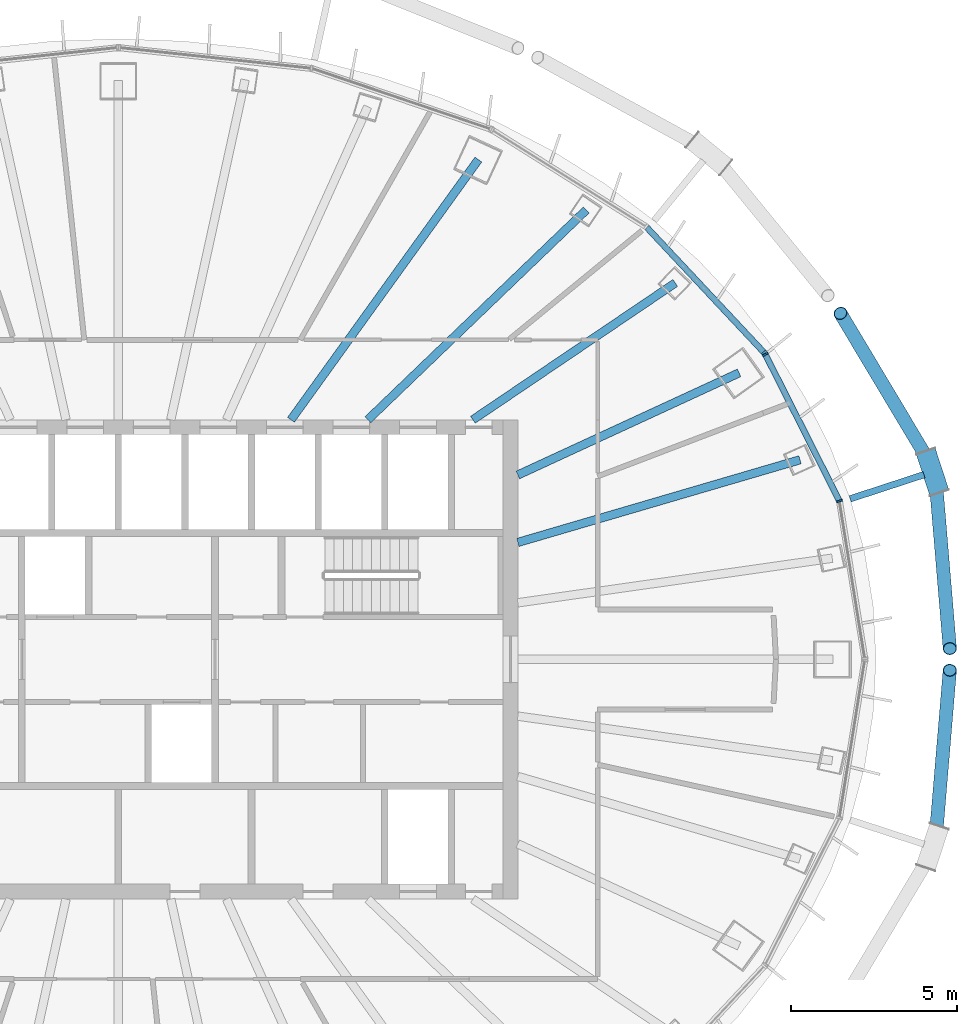
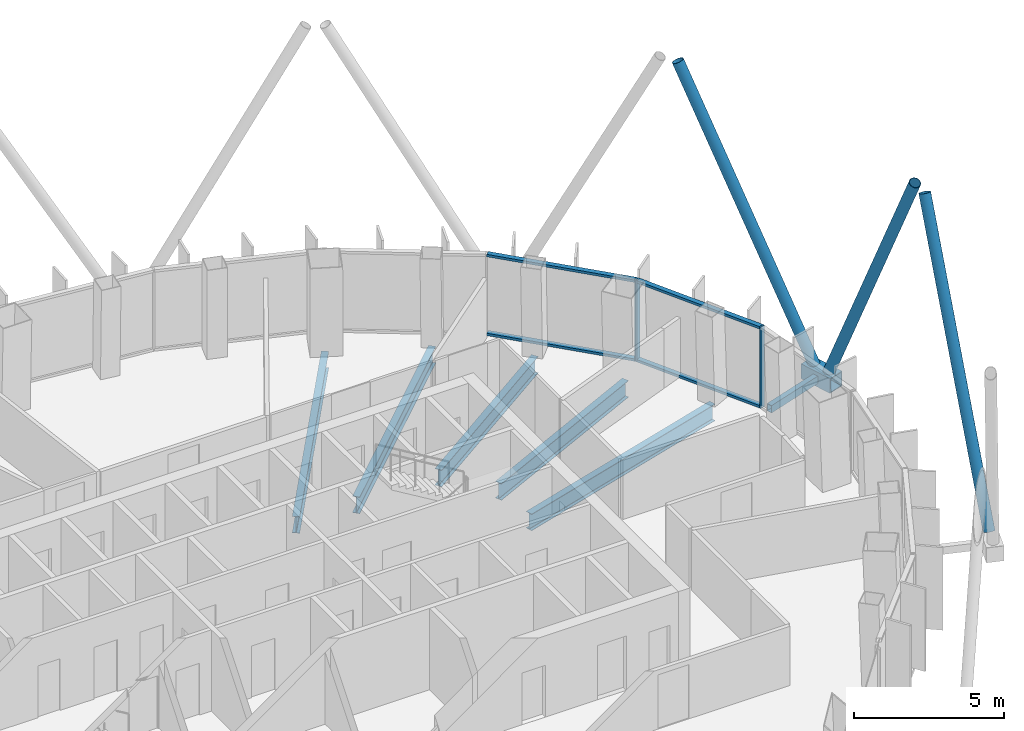
# One storey, part 5 of 18: 12 members, 5 beams, 2 elements without a shape of their own.
"""IFC4 building model written with IfcOpenShell, lengths in metres."""

from ifc_helpers import new_model, si_unit, direction, frame, origin, origin_2d, place, context, subcontext, project, spatial, rectangle, hollow_rectangle, hollow_circle, i_section, extrude, material, layer, layer_set, material_profile, profile_set, type_object, element, aggregate, save


model = new_model("IFC4")

# Units and contexts
model_context = context("Model", 3, precision=1e-05, world=origin(), true_north=direction((0.0, 1.0)))
body_context = subcontext(model_context, "Body", "Model", "MODEL_VIEW")
ifc_project = project(units=[si_unit("LENGTHUNIT", "METRE"), si_unit("AREAUNIT", "SQUARE_METRE"), si_unit("VOLUMEUNIT", "CUBIC_METRE"), si_unit("PLANEANGLEUNIT", "RADIAN"), si_unit("MASSUNIT", "GRAM", prefix="KILO")], contexts=[model_context])

# Site, building, storey
site_placement = place(None, origin())
site = spatial("IfcSite", under=ifc_project, at=site_placement, CompositionType="ELEMENT")
building_placement = place(site_placement, origin())
building = spatial("IfcBuilding", under=site, at=building_placement, Name="Siaravel Broadcast Tower", CompositionType="ELEMENT")
storey_placement = place(building_placement, frame((0.0, 0.0, 201.5)))
storey = spatial("IfcBuildingStorey", under=building, at=storey_placement, Name="L49", CompositionType="ELEMENT", Elevation=201.5)

# Beams
ifc_material_1 = material(Name="Steel S355", Category="steel")
ifc_material_profile_1 = material_profile(ifc_material_1, i_section(OverallWidth=0.2529296875, OverallDepth=0.677978515625, WebThickness=0.01171875, FlangeThickness=0.01611328125, FilletRadius=0.01513671875, at=origin_2d()))
ifc_profile_set_1 = profile_set([ifc_material_profile_1], Name="Steel S355")
beam_type = type_object("IfcBeamType", Name="BM-UB 686x254x125", PredefinedType="BEAM", material=ifc_profile_set_1)
beam_1_placement = place(storey_placement, frame((20.47607421875, 5.997802734375, -0.489013671875), z_axis=(-0.95967304, -0.281118579, 0.0), x_axis=(0.281118579, -0.95967304, 0.0)))
element("IfcBeam", 1, at=beam_1_placement, inside=storey, type_object=beam_type, Name="Radial beam RB03", PredefinedType="BEAM", context=body_context, shape_type="SweptSolid", body=[
    extrude(i_section(OverallWidth=0.2529296875, OverallDepth=0.677978515625, WebThickness=0.01171875, FlangeThickness=0.01611328125, FilletRadius=0.01513671875, at=origin_2d()), origin(), (0.0, 0.0, 1.0), 8.832275390625),
])
beam_2_placement = place(storey_placement, frame((18.6455078125, 8.609130859375, -0.489013671875), z_axis=(-0.907896897, -0.419193541, 0.0), x_axis=(0.419193541, -0.907896897, 0.0)))
element("IfcBeam", 2, at=beam_2_placement, inside=storey, type_object=beam_type, Name="Radial beam RB04", PredefinedType="BEAM", context=body_context, shape_type="SweptSolid", body=[
    extrude(i_section(OverallWidth=0.2529296875, OverallDepth=0.677978515625, WebThickness=0.01171875, FlangeThickness=0.01611328125, FilletRadius=0.01513671875, at=origin_2d()), origin(), (0.0, 0.0, 1.0), 7.319580078125),
])
beam_3_placement = place(storey_placement, frame((16.7294921875, 11.31005859375, -0.489013671875), z_axis=(-0.82844504, -0.560070366, 0.0), x_axis=(0.560070366, -0.82844504, 0.0)))
element("IfcBeam", 3, at=beam_3_placement, inside=storey, type_object=beam_type, Name="Radial beam RB05", PredefinedType="BEAM", context=body_context, shape_type="SweptSolid", body=[
    extrude(i_section(OverallWidth=0.2529296875, OverallDepth=0.677978515625, WebThickness=0.01171875, FlangeThickness=0.01611328125, FilletRadius=0.01513671875, at=origin_2d()), origin(), (0.0, 0.0, 1.0), 7.338623046875),
])
beam_4_placement = place(storey_placement, frame((14.053466796875, 13.501708984375, -0.489013671875), z_axis=(-0.721123378, -0.692806664, 0.0), x_axis=(0.692806664, -0.721123378, 0.0)))
element("IfcBeam", 4, at=beam_4_placement, inside=storey, type_object=beam_type, Name="Radial beam RB06", PredefinedType="BEAM", context=body_context, shape_type="SweptSolid", body=[
    extrude(i_section(OverallWidth=0.2529296875, OverallDepth=0.677978515625, WebThickness=0.01171875, FlangeThickness=0.01611328125, FilletRadius=0.01513671875, at=origin_2d()), origin(), (0.0, 0.0, 1.0), 9.095947265625),
])
beam_5_placement = place(storey_placement, frame((10.813720703125, 15.014892578125, -0.489013671875), z_axis=(-0.584401555, -0.811464616, 0.0), x_axis=(0.811464616, -0.584401555, 0.0)))
element("IfcBeam", 5, at=beam_5_placement, inside=storey, type_object=beam_type, Name="Radial beam RB07", PredefinedType="BEAM", context=body_context, shape_type="SweptSolid", body=[
    extrude(i_section(OverallWidth=0.2529296875, OverallDepth=0.677978515625, WebThickness=0.01171875, FlangeThickness=0.01611328125, FilletRadius=0.01513671875, at=origin_2d()), origin(), (0.0, 0.0, 1.0), 9.630615234375),
])

# Curtain wall, members
ifc_material_2 = material(Name="Aluminium 6063-T6", Category="aluminium")
ifc_layer = layer(ifc_material_2, 0.179931640625)
ifc_layer_set = layer_set([ifc_layer], Name="Aluminium 6063-T6")
curtain_wall_type = type_object("IfcCurtainWallType", Name="Unitised curtain wall, zone 3", PredefinedType="NOTDEFINED", material=ifc_layer_set)
curtain_wall_1_placement = place(storey_placement, origin())
curtain_wall_1 = element("IfcCurtainWall", 6, at=curtain_wall_1_placement, inside=storey, type_object=curtain_wall_type, Name="L49 Unitised curtain wall, zone 3 01", PredefinedType="NOTDEFINED")
ifc_material_profile_2 = material_profile(ifc_material_2, rectangle(XDim=0.179931640625, YDim=0.06005859375, at=origin_2d()))
ifc_profile_set_2 = profile_set([ifc_material_profile_2], Name="Aluminium 6063-T6")
member_type_1 = type_object("IfcMemberType", Name="CW-Z3 mullion", PredefinedType="MULLION", material=ifc_profile_set_2)
member_1_placement = place(storey_placement, frame((21.6611328125, 4.75927734375, 0.0), z_axis=(0.0, 0.0, 1.0), x_axis=(-0.951177741, -0.308643655, 0.0)))
member_1 = element("IfcMember", 7, at=member_1_placement, type_object=member_type_1, Name="CW-Z3 mullion 2", PredefinedType="MULLION", context=body_context, shape_type="SweptSolid", body=[
    extrude(rectangle(XDim=0.179931640625, YDim=0.06005859375, at=origin_2d()), origin(), (0.0, 0.0, 1.0), 3.300048828125),
])
member_2_placement = place(storey_placement, frame((19.4326171875, 9.166259765625, 0.0), z_axis=(0.0, 0.0, 1.0), x_axis=(-0.892393176, -0.451258705, 0.0)))
member_2 = element("IfcMember", 8, at=member_2_placement, type_object=member_type_1, Name="CW-Z3 mullion 3", PredefinedType="MULLION", context=body_context, shape_type="SweptSolid", body=[
    extrude(rectangle(XDim=0.179931640625, YDim=0.06005859375, at=origin_2d()), origin(), (0.0, 0.0, 1.0), 3.300048828125),
])

# Curtain wall, member
curtain_wall_2_placement = place(storey_placement, origin())
curtain_wall_2 = element("IfcCurtainWall", 9, at=curtain_wall_2_placement, inside=storey, type_object=curtain_wall_type, Name="L49 Unitised curtain wall, zone 3 02", PredefinedType="NOTDEFINED")
member_3_placement = place(storey_placement, frame((19.398681640625, 9.215087890625, 0.0), z_axis=(0.0, 0.0, 1.0), x_axis=(-0.729807165, -0.683653057, 0.0)))
member_3 = element("IfcMember", 10, at=member_3_placement, type_object=member_type_1, Name="CW-Z3 mullion 1", PredefinedType="MULLION", context=body_context, shape_type="SweptSolid", body=[
    extrude(rectangle(XDim=0.179931640625, YDim=0.06005859375, at=origin_2d()), origin(), (0.0, 0.0, 1.0), 3.300048828125),
])

# Member
ifc_material_profile_3 = material_profile(ifc_material_2, rectangle(XDim=0.179931640625, YDim=0.10009765625, at=origin_2d()))
ifc_profile_set_3 = profile_set([ifc_material_profile_3], Name="Aluminium 6063-T6")
member_type_2 = type_object("IfcMemberType", Name="CW-Z3 transom", PredefinedType="USERDEFINED", material=ifc_profile_set_3)
member_4_placement = place(storey_placement, frame((21.647705078125, 4.7861328125, 0.050048828125), z_axis=(-0.451252633, 0.892396247, 0.0), x_axis=(-0.892396247, -0.451252633, 0.0)))
member_4 = element("IfcMember", 11, at=member_4_placement, type_object=member_type_2, Name="CW-Z3 transom 2", ObjectType="TRANSOM", PredefinedType="USERDEFINED", context=body_context, shape_type="SweptSolid", body=[
    extrude(rectangle(XDim=0.179931640625, YDim=0.10009765625, at=origin_2d()), origin(), (0.0, 0.0, 1.0), 4.87841796875),
])

member_5_placement = place(storey_placement, frame((21.647705078125, 4.7861328125, 3.25), z_axis=(-0.451252633, 0.892396247, 0.0), x_axis=(-0.892396247, -0.451252633, 0.0)))
member_5 = element("IfcMember", 12, at=member_5_placement, type_object=member_type_2, Name="CW-Z3 transom 2", ObjectType="TRANSOM", PredefinedType="USERDEFINED", context=body_context, shape_type="SweptSolid", body=[
    extrude(rectangle(XDim=0.179931640625, YDim=0.10009765625, at=origin_2d()), origin(), (0.0, 0.0, 1.0), 4.87841796875),
])

aggregate(curtain_wall_1, [member_1, member_2, member_4, member_5])

member_6_placement = place(storey_placement, frame((19.378173828125, 9.23681640625, 0.050048828125), z_axis=(-0.683649503, 0.729810494, 0.0), x_axis=(-0.729810494, -0.683649503, 0.0)))
member_6 = element("IfcMember", 13, at=member_6_placement, type_object=member_type_2, Name="CW-Z3 transom 1", ObjectType="TRANSOM", PredefinedType="USERDEFINED", context=body_context, shape_type="SweptSolid", body=[
    extrude(rectangle(XDim=0.179931640625, YDim=0.10009765625, at=origin_2d()), origin(), (0.0, 0.0, 1.0), 5.125),
])

member_7_placement = place(storey_placement, frame((19.378173828125, 9.23681640625, 3.25), z_axis=(-0.683649503, 0.729810494, 0.0), x_axis=(-0.729810494, -0.683649503, 0.0)))
member_7 = element("IfcMember", 14, at=member_7_placement, type_object=member_type_2, Name="CW-Z3 transom 1", ObjectType="TRANSOM", PredefinedType="USERDEFINED", context=body_context, shape_type="SweptSolid", body=[
    extrude(rectangle(XDim=0.179931640625, YDim=0.10009765625, at=origin_2d()), origin(), (0.0, 0.0, 1.0), 5.125),
])

aggregate(curtain_wall_2, [member_3, member_6, member_7])

# Members
ifc_material_3 = material(Name="Steel S460", Category="steel")
ifc_material_profile_4 = material_profile(ifc_material_3, hollow_circle(Radius=0.203125, WallThickness=0.01611328125, at=origin_2d()))
ifc_profile_set_4 = profile_set([ifc_material_profile_4], Name="Steel S460")
member_type_3 = type_object("IfcMemberType", Name="Diagrid diagonal CHS 406.4x16", PredefinedType="BRACE", material=ifc_profile_set_4)
member_8_placement = place(storey_placement, frame((24.556396484375, 5.326171875, 0.070068359375), z_axis=(0.035893147, -0.427857173, 0.903133391), x_axis=(0.996499658, 0.083596843, 0.0)))
element("IfcMember", 15, at=member_8_placement, inside=storey, type_object=member_type_3, Name="Diagrid diagonal R20 station 03C", PredefinedType="BRACE", context=body_context, shape_type="SweptSolid", body=[
    extrude(hollow_circle(Radius=0.203125, WallThickness=0.01611328125, at=origin_2d()), origin(), (0.0, 0.0, 1.0), 11.6923828125),
])
member_9_placement = place(storey_placement, frame((24.355224609375, 5.941162109375, 0.070068359375), z_axis=(-0.226514852, 0.378714243, 0.897366449), x_axis=(-0.858205618, -0.513306066, 0.0)))
element("IfcMember", 16, at=member_9_placement, inside=storey, type_object=member_type_3, Name="Diagrid diagonal R20 station 03A", PredefinedType="BRACE", context=body_context, shape_type="SweptSolid", body=[
    extrude(hollow_circle(Radius=0.203125, WallThickness=0.01611328125, at=origin_2d()), origin(), (0.0, 0.0, 1.0), 11.767578125),
])
member_10_placement = place(storey_placement, frame((24.556396484375, -5.326171875, 0.070068359375), z_axis=(0.035893147, 0.427857173, 0.903133391), x_axis=(-0.996499658, 0.083596843, 0.0)))
element("IfcMember", 17, at=member_10_placement, inside=storey, type_object=member_type_3, Name="Diagrid diagonal R20 station 69A", PredefinedType="BRACE", context=body_context, shape_type="SweptSolid", body=[
    extrude(hollow_circle(Radius=0.203125, WallThickness=0.01611328125, at=origin_2d()), origin(), (0.0, 0.0, 1.0), 11.6923828125),
])
ifc_material_profile_5 = material_profile(ifc_material_3, hollow_rectangle(XDim=0.60009765625, YDim=0.60009765625, WallThickness=0.031982421875, at=origin_2d()))
ifc_profile_set_5 = profile_set([ifc_material_profile_5], Name="Steel S460")
member_type_4 = type_object("IfcMemberType", Name="Diagrid node BOX 600x600x32", PredefinedType="USERDEFINED", material=ifc_profile_set_5)
member_11_placement = place(storey_placement, frame((24.656982421875, 5.018798828125, -0.199951171875), z_axis=(-0.310843783, 0.950461016, 0.0), x_axis=(-0.950461016, -0.310843783, 0.0)))
element("IfcMember", 18, at=member_11_placement, inside=storey, type_object=member_type_4, Name="Diagrid node R20 station 03", ObjectType="DIAGRID NODE", PredefinedType="USERDEFINED", context=body_context, shape_type="SweptSolid", body=[
    extrude(hollow_rectangle(XDim=0.60009765625, YDim=0.60009765625, WallThickness=0.031982421875, at=origin_2d()), origin(), (0.0, 0.0, 1.0), 1.29345703125),
])
ifc_material_profile_6 = material_profile(ifc_material_3, hollow_rectangle(XDim=0.199951171875, YDim=0.300048828125, WallThickness=0.012451171875, at=origin_2d()))
ifc_profile_set_6 = profile_set([ifc_material_profile_6], Name="Steel S460")
member_type_5 = type_object("IfcMemberType", Name="Diagrid node arm RHS 300x200x12.5", PredefinedType="STRUT", material=ifc_profile_set_6)
member_12_placement = place(storey_placement, frame((21.98486328125, 4.8251953125, -0.199951171875), z_axis=(0.950439361, 0.310909987, 0.0), x_axis=(-0.310909987, 0.950439361, 0.0)))
element("IfcMember", 19, at=member_12_placement, inside=storey, type_object=member_type_5, Name="Node arm R20 station 03", PredefinedType="STRUT", context=body_context, shape_type="SweptSolid", body=[
    extrude(hollow_rectangle(XDim=0.199951171875, YDim=0.300048828125, WallThickness=0.012451171875, at=origin_2d()), origin(), (0.0, 0.0, 1.0), 2.329833984375),
])

save(model, "model.ifc")
